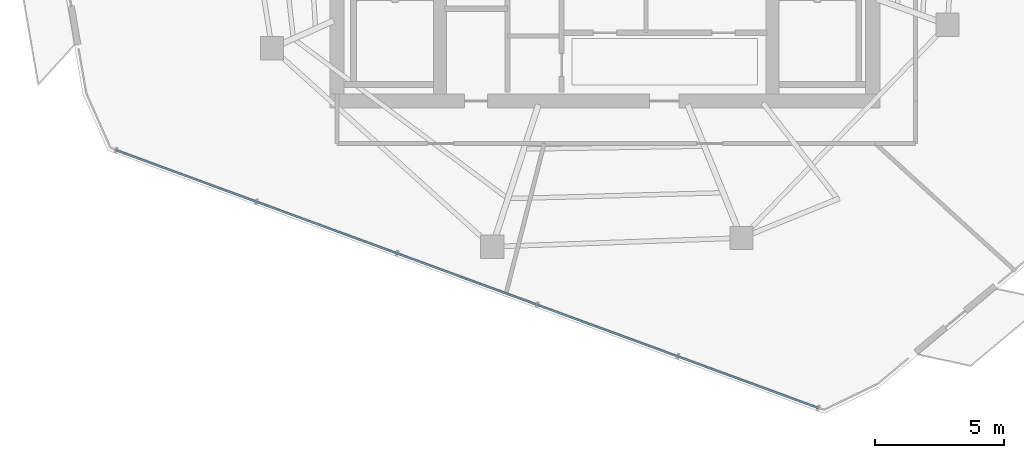
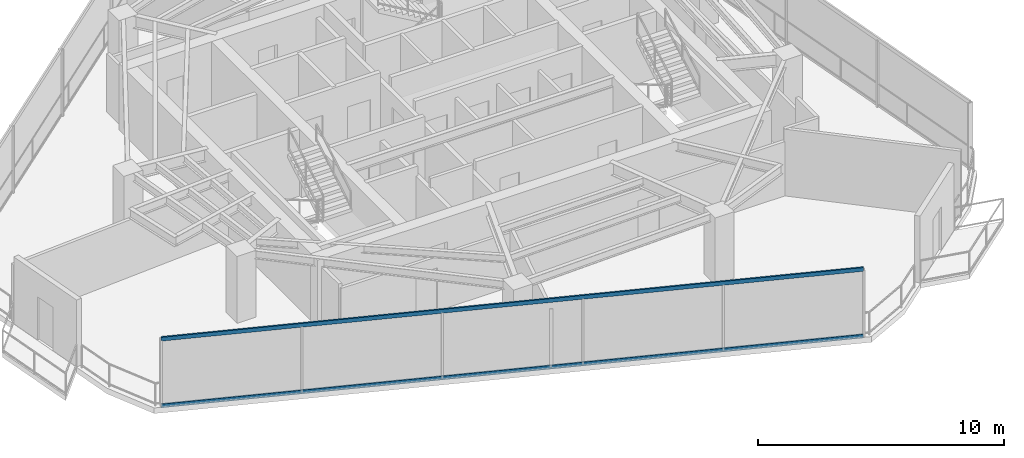
# One storey, part 3 of 18: 2 members, 1 element without a shape of its own.
"""IFC4 building model written with IfcOpenShell, lengths in metres."""

from ifc_helpers import new_model, si_unit, direction, frame, origin, origin_2d, place, context, subcontext, project, spatial, hollow_rectangle, extrude, material, layer, layer_set, material_profile, profile_set, type_object, element, aggregate, save


model = new_model("IFC4")

# Units and contexts
model_context = context("Model", 3, precision=1e-05, world=origin(), true_north=direction((0.0, 1.0)))
body_context = subcontext(model_context, "Body", "Model", "MODEL_VIEW")
ifc_project = project(units=[si_unit("LENGTHUNIT", "METRE"), si_unit("AREAUNIT", "SQUARE_METRE"), si_unit("VOLUMEUNIT", "CUBIC_METRE"), si_unit("PLANEANGLEUNIT", "RADIAN"), si_unit("MASSUNIT", "GRAM", prefix="KILO")], contexts=[model_context])

# Site, building, storey
site_placement = place(None, origin())
site = spatial("IfcSite", under=ifc_project, at=site_placement, CompositionType="ELEMENT")
building_placement = place(site_placement, origin())
building = spatial("IfcBuilding", under=site, at=building_placement, Name="Qarnah Convention Tower", CompositionType="ELEMENT")
storey_placement = place(building_placement, frame((0.0, 0.0, 216.60009765625)))
storey = spatial("IfcBuildingStorey", under=building, at=storey_placement, Name="L58", CompositionType="ELEMENT", Elevation=216.60009765625)

# Curtain wall, members
ifc_material_1 = material(Name="Tempered Low-E dark glass", Category="glass")
ifc_layer = layer(ifc_material_1, 0.174072265625)
ifc_layer_set = layer_set([ifc_layer], Name="Tempered Low-E dark glass")
curtain_wall_type = type_object("IfcCurtainWallType", Name="CWS-04", PredefinedType="NOTDEFINED", material=ifc_layer_set)
curtain_wall_placement = place(storey_placement, origin())
curtain_wall = element("IfcCurtainWall", 1, at=curtain_wall_placement, inside=storey, type_object=curtain_wall_type, Name="L58 unitised curtain wall CW-L58-F1", PredefinedType="NOTDEFINED")
ifc_material_2 = material(Name="Black anodised aluminium", Category="aluminium")
ifc_material_profile = material_profile(ifc_material_2, hollow_rectangle(XDim=0.074951171875, YDim=0.18994140625, WallThickness=0.0048828125, at=origin_2d()), Name="TRN-75X190")
ifc_profile_set = profile_set([ifc_material_profile], Name="Black anodised aluminium")
member_type = type_object("IfcMemberType", Name="TRN-T4", PredefinedType="USERDEFINED", material=ifc_profile_set)
member_1_placement = place(storey_placement, frame((45.47998046875, 6.678955078125, 0.0), z_axis=(-0.938741548375, 0.344621974567, 0.0), x_axis=(-0.344621974567, -0.938741548375, 0.0)))
member_1 = element("IfcMember", 2, at=member_1_placement, type_object=member_type, Name="CW-L58-F1 transom 1", ObjectType="TRANSOM", PredefinedType="USERDEFINED", context=body_context, shape_type="SweptSolid", body=[
    extrude(hollow_rectangle(XDim=0.074951171875, YDim=0.18994140625, WallThickness=0.0048828125, at=origin_2d()), origin(), (0.0, 0.0, 1.0), 29.037841796875),
])
member_2_placement = place(storey_placement, frame((45.47998046875, 6.678955078125, 3.31982421875), z_axis=(-0.938741548375, 0.344621974567, 0.0), x_axis=(-0.344621974567, -0.938741548375, 0.0)))
member_2 = element("IfcMember", 3, at=member_2_placement, type_object=member_type, Name="CW-L58-F1 transom 2", ObjectType="TRANSOM", PredefinedType="USERDEFINED", context=body_context, shape_type="SweptSolid", body=[
    extrude(hollow_rectangle(XDim=0.074951171875, YDim=0.18994140625, WallThickness=0.0048828125, at=origin_2d()), origin(), (0.0, 0.0, 1.0), 29.037841796875),
])
aggregate(curtain_wall, [member_1, member_2])

save(model, "model.ifc")
